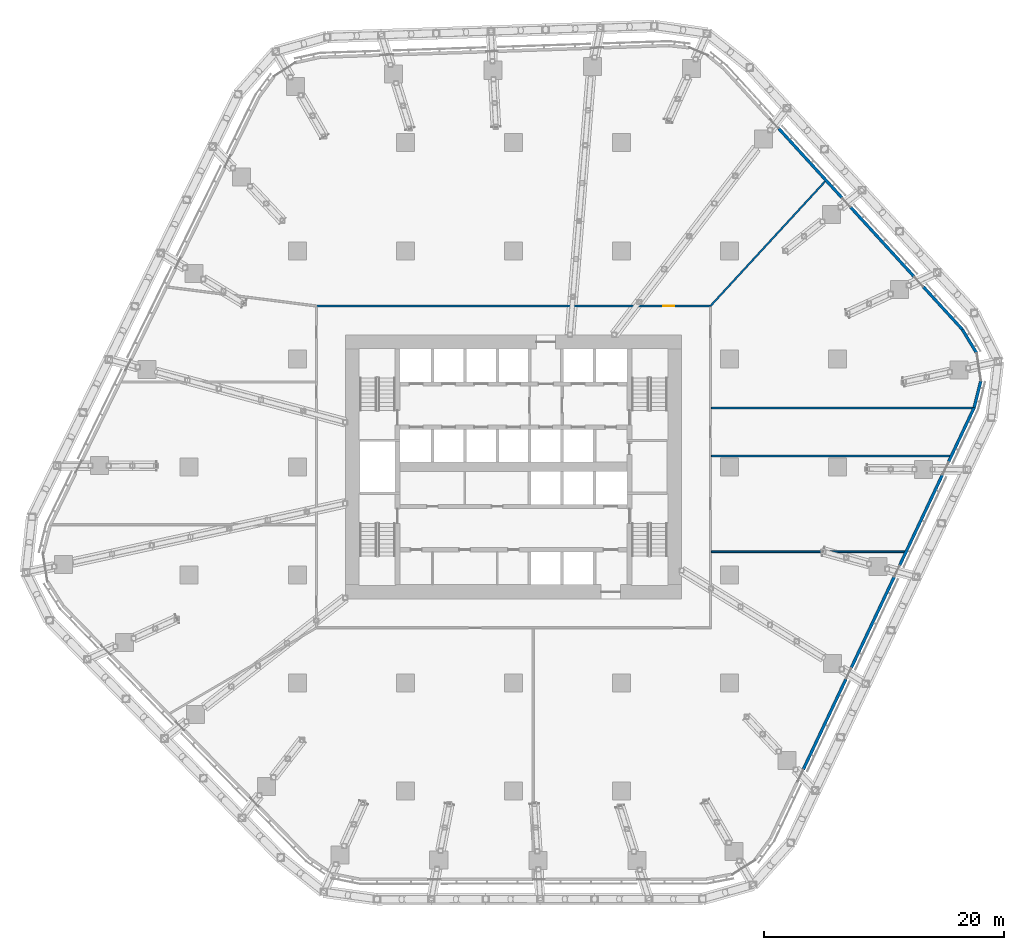
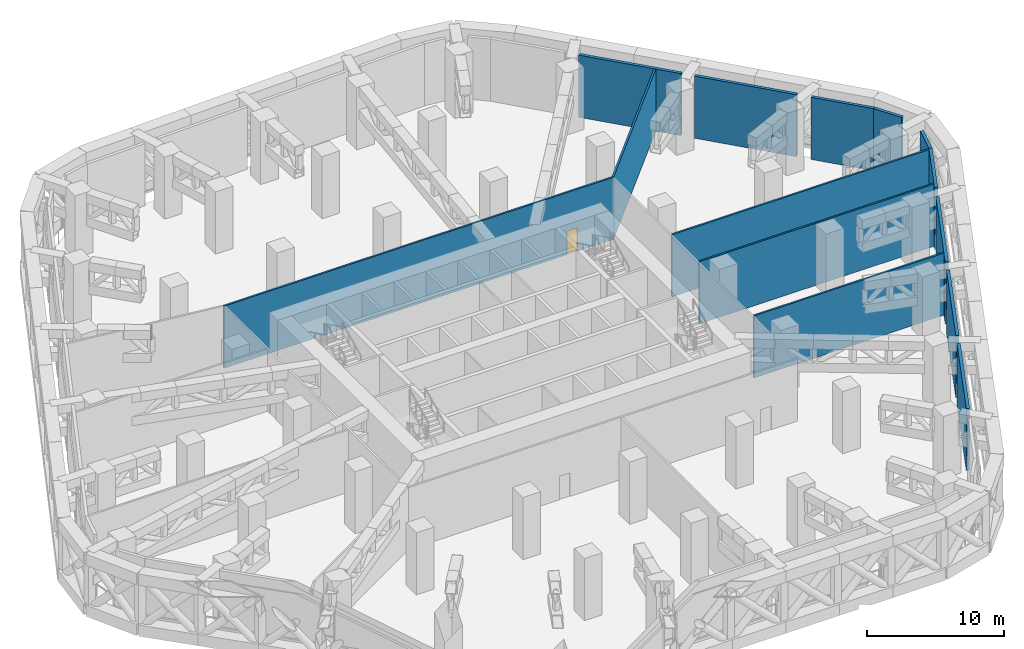
# One storey, part 19 of 38: 14 walls, 1 door, 1 opening.
"""IFC4 building model written with IfcOpenShell, lengths in metres."""

from ifc_helpers import new_model, si_unit, direction, frame, frame_2d, origin, place, context, subcontext, project, spatial, rectangle, extrude, material, layer, layer_set, type_object, element, fill, save


model = new_model("IFC4")

# Units and contexts
model_context = context("Model", 3, precision=1e-05, world=origin(), true_north=direction((0.0, 1.0)))
body_context = subcontext(model_context, "Body", "Model", "MODEL_VIEW")
ifc_project = project(units=[si_unit("LENGTHUNIT", "METRE"), si_unit("AREAUNIT", "SQUARE_METRE"), si_unit("VOLUMEUNIT", "CUBIC_METRE"), si_unit("PLANEANGLEUNIT", "RADIAN"), si_unit("MASSUNIT", "GRAM", prefix="KILO")], contexts=[model_context])

# Site, building, storey
site_placement = place(None, origin())
site = spatial("IfcSite", under=ifc_project, at=site_placement, CompositionType="ELEMENT")
building_placement = place(site_placement, origin())
building = spatial("IfcBuilding", under=site, at=building_placement, Name="Dongbaek Canopy Tower", CompositionType="ELEMENT")
storey_placement = place(building_placement, frame((0.0, 0.0, 89.199951171875)))
storey = spatial("IfcBuildingStorey", under=building, at=storey_placement, Name="L18", CompositionType="ELEMENT", Elevation=89.199951171875)

# Walls
ifc_material_1 = material(Name="Gypsum board partition, steel stud, 2 x 15 mm fire board", Category="steel")
ifc_layer_1 = layer(ifc_material_1, 0.14990234375)
ifc_layer_set_1 = layer_set([ifc_layer_1], Name="Fire-rated partition 150 gypsum board")
wall_type_1 = type_object("IfcWallType", Name="Fire-rated partition 150 gypsum board", PredefinedType="PARTITIONING", material=ifc_layer_set_1)
wall_1_placement = place(storey_placement, frame((16.47509765625, -7.06591796875, 0.0), z_axis=(0.0, 0.0, 1.0), x_axis=(1.0, 0.0, 0.0)))
element("IfcWall", 1, at=wall_1_placement, inside=storey, type_object=wall_type_1, Name="Corridor partition", PredefinedType="PARTITIONING", context=body_context, shape_type="SweptSolid", body=[
    extrude(rectangle(XDim=16.197021484375, YDim=0.14990234375, at=frame_2d((8.0986328125, 0.0))), origin(), (0.0, 0.0, 1.0), 5.550048828125),
])
wall_2_placement = place(storey_placement, frame((16.47509765625, 0.910888671875, 0.0), z_axis=(0.0, 0.0, 1.0), x_axis=(1.0, 0.0, 0.0)))
element("IfcWall", 2, at=wall_2_placement, inside=storey, type_object=wall_type_1, Name="Corridor partition", PredefinedType="PARTITIONING", context=body_context, shape_type="SweptSolid", body=[
    extrude(rectangle(XDim=19.96435546875, YDim=0.14990234375, at=frame_2d((9.982177734375, 0.0))), origin(), (0.0, 0.0, 1.0), 5.550048828125),
])
wall_3_placement = place(storey_placement, frame((16.47509765625, 4.89990234375, 0.0), z_axis=(0.0, 0.0, 1.0), x_axis=(1.0, 0.0, 0.0)))
element("IfcWall", 3, at=wall_3_placement, inside=storey, type_object=wall_type_1, Name="Corridor partition", PredefinedType="PARTITIONING", context=body_context, shape_type="SweptSolid", body=[
    extrude(rectangle(XDim=21.847900390625, YDim=0.14990234375, at=frame_2d((10.923828125, 0.0))), origin(), (0.0, 0.0, 1.0), 5.550048828125),
])

# Wall, opening, door
wall_4_placement = place(storey_placement, frame((-16.47509765625, 13.39990234375, 0.0), z_axis=(0.0, 0.0, 1.0), x_axis=(1.0, 0.0, 0.0)))
wall_4 = element("IfcWall", 4, at=wall_4_placement, inside=storey, type_object=wall_type_1, Name="Corridor partition", PredefinedType="PARTITIONING", context=body_context, shape_type="SweptSolid", body=[
    extrude(rectangle(XDim=32.9501953125, YDim=0.14990234375, at=frame_2d((16.47509765625, 0.0))), origin(), (0.0, 0.0, 1.0), 5.550048828125),
])
opening_placement = place(wall_4_placement, frame((28.958251953125, 0.0, 0.0)))
opening = element("IfcOpeningElement", 5, at=opening_placement, cuts=wall_4, Name="Opening L18-D007", PredefinedType="OPENING", context=body_context, shape_type="SweptSolid", body=[
    extrude(rectangle(XDim=0.89990234375, YDim=2.10009765625, at=frame_2d((0.449951171875, 1.050048828125))), frame((0.0, 0.0849609375, 0.0), z_axis=(0.0, -1.0, 0.0), x_axis=(1.0, 0.0, 0.0)), (0.0, 0.0, 1.0), 0.169921875),
])
ifc_material_2 = material(Name="Timber veneered door leaf", Category="wood")
door_type = type_object("IfcDoorType", Name="Store door 900 x 2100", OperationType="SINGLE_SWING_LEFT", PredefinedType="DOOR", material=ifc_material_2)
door_placement = place(opening_placement, origin())
door = element("IfcDoor", 6, at=door_placement, inside=storey, type_object=door_type, Name="Door L18-D007", OperationType="SINGLE_SWING_RIGHT", OverallHeight=2.10009765625, OverallWidth=0.89990234375, PredefinedType="DOOR", context=body_context, shape_type="SweptSolid", body=[
    extrude(rectangle(XDim=0.89990234375, YDim=2.10009765625, at=frame_2d((0.449951171875, 1.050048828125))), frame((0.0, 0.02490234375, 0.0), z_axis=(0.0, -1.0, 0.0), x_axis=(1.0, 0.0, 0.0)), (0.0, 0.0, 1.0), 0.050048828125),
])
fill(opening, door)

# Walls
wall_5_placement = place(storey_placement, frame((16.400146484375, 13.39990234375, 0.0), z_axis=(0.0, 0.0, 1.0), x_axis=(0.67725276206, 0.735750430705, 0.0)))
element("IfcWall", 7, at=wall_5_placement, inside=storey, type_object=wall_type_1, Name="Corridor partition", PredefinedType="PARTITIONING", context=body_context, shape_type="SweptSolid", body=[
    extrude(rectangle(XDim=14.202392578125, YDim=0.14990234375, at=frame_2d((7.10107421875, 0.0))), origin(), (0.0, 0.0, 1.0), 5.550048828125),
])
ifc_material_3 = material(Name="Pale metal cladding on insulated wall")
ifc_layer_2 = layer(ifc_material_3, 0.25)
ifc_layer_set_2 = layer_set([ifc_layer_2], Name="Plant floor wall 250")
wall_type_2 = type_object("IfcWallType", Name="Plant floor wall 250", PredefinedType="SOLIDWALL", material=ifc_layer_set_2)
for number, where, z_axis, x_axis, name in (
    (8, (38.361083984375, 4.933837890625, 0.0), (0.0, 0.0, 1.0), (0.241891337416, 0.970303344776, 0.0), "Plant wall L18 K0 1"),
    (9, (38.57763671875, 9.4658203125, 0.0), (0.0, 0.0, 1.0), (-0.517187966932, 0.855871840208, 0.0), "Plant wall L18 K0 2"),
):
    element("IfcWall", number, at=place(storey_placement, frame(where, z_axis=z_axis, x_axis=x_axis)), inside=storey, type_object=wall_type_2, Name=name, PredefinedType="SOLIDWALL", context=body_context, shape_type="SweptSolid", body=[
        extrude(rectangle(XDim=2.318359375, YDim=0.25, at=frame_2d((1.1591796875, 0.0))), origin(), (0.0, 0.0, 1.0), 5.550048828125),
    ])
wall_6_placement = place(storey_placement, frame((37.378662109375, 11.449951171875, 0.0), z_axis=(0.0, 0.0, 1.0), x_axis=(-0.674620692961, 0.738164562024, 0.0)))
element("IfcWall", 10, at=wall_6_placement, inside=storey, type_object=wall_type_2, Name="Plant wall L18 F0 1", PredefinedType="SOLIDWALL", context=body_context, shape_type="SweptSolid", body=[
    extrude(rectangle(XDim=4.810302734375, YDim=0.25, at=frame_2d((2.4052734375, 0.0))), origin(), (0.0, 0.0, 1.0), 5.550048828125),
])
wall_7_placement = place(storey_placement, frame((33.366943359375, 15.83935546875, 0.0), z_axis=(0.0, 0.0, 1.0), x_axis=(-0.674647495848, 0.738140065534, 0.0)))
element("IfcWall", 11, at=wall_7_placement, inside=storey, type_object=wall_type_2, Name="Plant wall L18 F0 2", PredefinedType="SOLIDWALL", context=body_context, shape_type="SweptSolid", body=[
    extrude(rectangle(XDim=7.83642578125, YDim=0.25, at=frame_2d((3.918212890625, 0.0))), origin(), (0.0, 0.0, 1.0), 5.550048828125),
])
wall_8_placement = place(storey_placement, frame((27.385498046875, 22.3837890625, 0.0), z_axis=(0.0, 0.0, 1.0), x_axis=(-0.674651504882, 0.738136401324, 0.0)))
element("IfcWall", 12, at=wall_8_placement, inside=storey, type_object=wall_type_2, Name="Plant wall L18 F0 3", PredefinedType="SOLIDWALL", context=body_context, shape_type="SweptSolid", body=[
    extrude(rectangle(XDim=7.84521484375, YDim=0.25, at=frame_2d((3.922607421875, 0.0))), origin(), (0.0, 0.0, 1.0), 5.550048828125),
])
wall_9_placement = place(storey_placement, frame((24.130859375, -25.197998046875, 0.0), z_axis=(0.0, 0.0, 1.0), x_axis=(0.42704433416, 0.904230687746, 0.0)))
element("IfcWall", 13, at=wall_9_placement, inside=storey, type_object=wall_type_2, Name="Plant wall L18 F5 2", PredefinedType="SOLIDWALL", context=body_context, shape_type="SweptSolid", body=[
    extrude(rectangle(XDim=8.311279296875, YDim=0.25, at=frame_2d((4.15576171875, 0.0))), origin(), (0.0, 0.0, 1.0), 5.550048828125),
])
wall_10_placement = place(storey_placement, frame((28.127197265625, -16.73583984375, 0.0), z_axis=(0.0, 0.0, 1.0), x_axis=(0.427037418028, 0.904233954021, 0.0)))
element("IfcWall", 14, at=wall_10_placement, inside=storey, type_object=wall_type_2, Name="Plant wall L18 F5 3", PredefinedType="SOLIDWALL", context=body_context, shape_type="SweptSolid", body=[
    extrude(rectangle(XDim=8.376708984375, YDim=0.25, at=frame_2d((4.1884765625, 0.0))), origin(), (0.0, 0.0, 1.0), 5.550048828125),
])
wall_11_placement = place(storey_placement, frame((32.16357421875, -8.189208984375, 0.0), z_axis=(0.0, 0.0, 1.0), x_axis=(0.427023639186, 0.904240461147, 0.0)))
element("IfcWall", 15, at=wall_11_placement, inside=storey, type_object=wall_type_2, Name="Plant wall L18 F5 4", PredefinedType="SOLIDWALL", context=body_context, shape_type="SweptSolid", body=[
    extrude(rectangle(XDim=8.3173828125, YDim=0.25, at=frame_2d((4.15869140625, 0.0))), origin(), (0.0, 0.0, 1.0), 5.550048828125),
])
wall_12_placement = place(storey_placement, frame((36.226806640625, 0.41455078125, 0.0), z_axis=(0.0, 0.0, 1.0), x_axis=(0.427034042555, 0.904235548128, 0.0)))
element("IfcWall", 16, at=wall_12_placement, inside=storey, type_object=wall_type_2, Name="Plant wall L18 F5 5", PredefinedType="SOLIDWALL", context=body_context, shape_type="SweptSolid", body=[
    extrude(rectangle(XDim=4.997802734375, YDim=0.25, at=frame_2d((2.4990234375, 0.0))), origin(), (0.0, 0.0, 1.0), 5.550048828125),
])

save(model, "model.ifc")
